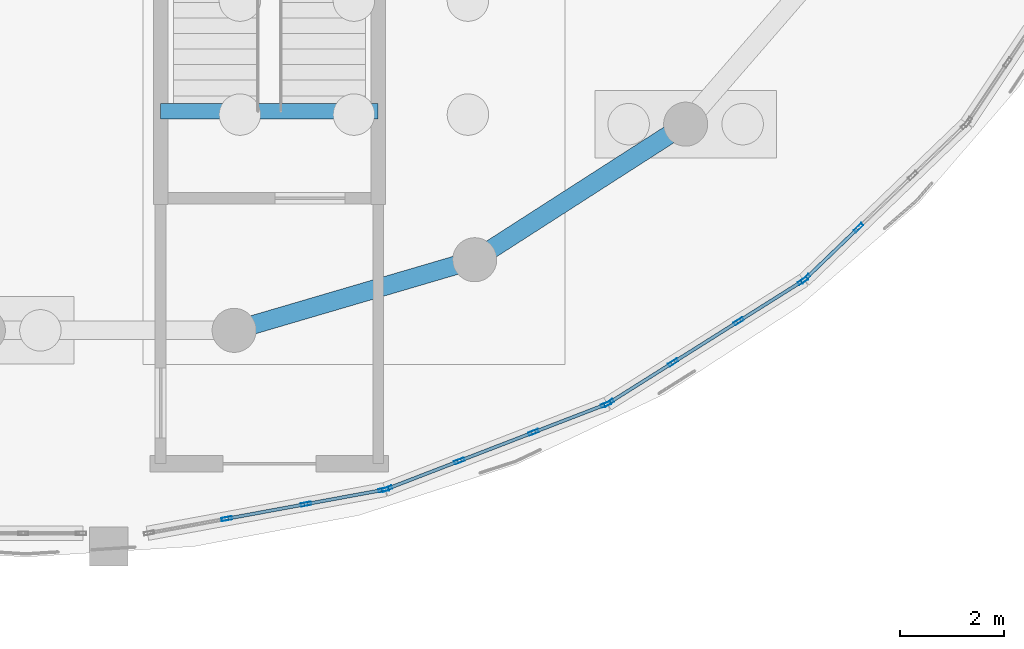
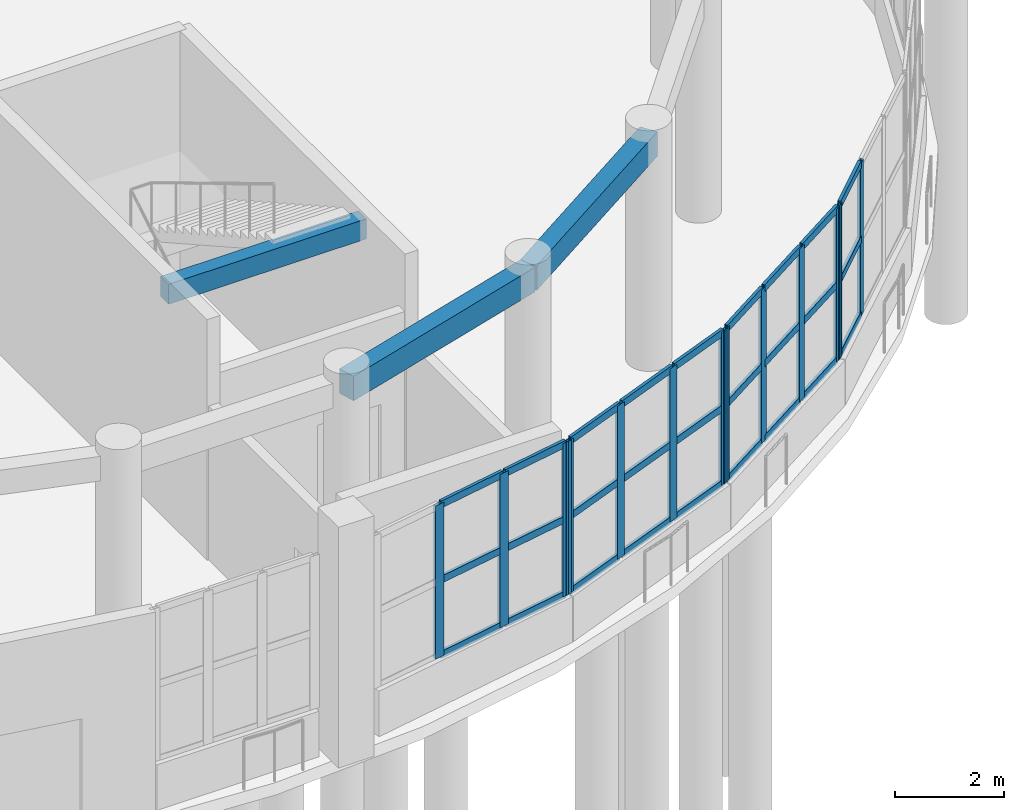
# One storey, part 27 of 96: 40 members, 3 beams, 4 elements without a shape of their own.
"""IFC4 building model written with IfcOpenShell, lengths in metres."""

from ifc_helpers import new_model, si_unit, direction, frame, origin, origin_2d, place, context, subcontext, project, spatial, rectangle, hollow_rectangle, extrude, material, layer, layer_set, material_profile, profile_set, type_object, element, aggregate, save


model = new_model("IFC4")

# Units and contexts
model_context = context("Model", 3, precision=1e-05, world=origin(), true_north=direction((0.0, 1.0)))
body_context = subcontext(model_context, "Body", "Model", "MODEL_VIEW")
ifc_project = project(units=[si_unit("LENGTHUNIT", "METRE"), si_unit("AREAUNIT", "SQUARE_METRE"), si_unit("VOLUMEUNIT", "CUBIC_METRE"), si_unit("PLANEANGLEUNIT", "RADIAN"), si_unit("MASSUNIT", "GRAM", prefix="KILO")], contexts=[model_context])

# Site, building, storey
site_placement = place(None, origin())
site = spatial("IfcSite", under=ifc_project, at=site_placement, CompositionType="ELEMENT")
building_placement = place(site_placement, origin())
building = spatial("IfcBuilding", under=site, at=building_placement, Name="Pelvatis Terrace Science Centre", CompositionType="ELEMENT")
storey_placement = place(building_placement, origin())
storey = spatial("IfcBuildingStorey", under=building, at=storey_placement, Name="L00", CompositionType="ELEMENT", Elevation=0.0)

# Beams
ifc_material_1 = material(Name="Concrete C35/45", Category="concrete")
ifc_material_profile_1 = material_profile(ifc_material_1, rectangle(XDim=0.300048828125, YDim=0.449951171875, at=origin_2d()), Name="RC-BM 300x450")
ifc_profile_set_1 = profile_set([ifc_material_profile_1], Name="Concrete C35/45")
beam_type_1 = type_object("IfcBeamType", Name="BM-RC-300x450", PredefinedType="BEAM", material=ifc_profile_set_1)
beam_placement = place(storey_placement, frame((79.0, 42.0, 4.919921875), z_axis=(1.0, 0.0, 0.0), x_axis=(0.0, 1.0, 0.0)))
element("IfcBeam", 1, at=beam_placement, inside=storey, type_object=beam_type_1, Name="Stair ST-06 header beam (L00)", PredefinedType="BEAM", context=body_context, shape_type="SweptSolid", body=[
    extrude(rectangle(XDim=0.300048828125, YDim=0.449951171875, at=origin_2d()), origin(), (0.0, 0.0, 1.0), 4.199951171875),
])
ifc_material_2 = material(Name="Concrete C35/45", Category="concrete")
ifc_material_profile_2 = material_profile(ifc_material_2, rectangle(XDim=0.360107421875, YDim=0.550048828125, at=origin_2d()), Name="RC-BM 360x550")
ifc_profile_set_2 = profile_set([ifc_material_profile_2], Name="Concrete C35/45")
beam_type_2 = type_object("IfcBeamType", Name="BM-RC-360x550", PredefinedType="BEAM", material=ifc_profile_set_2)
for number, where, z_axis, x_axis, name in (
    (2, (80.41943359375, 37.77294921875, 4.864990234375), (0.959487536584, 0.281751073006, 0.0), (-0.281751073006, 0.959487536584, 0.0), "Beam BM-L00-2215"),
    (3, (85.06201171875, 39.13623046875, 4.864990234375), (0.841255517216, 0.540637729681, 0.0), (-0.540637729681, 0.841255517216, 0.0), "Beam BM-L00-2216"),
):
    element("IfcBeam", number, at=place(storey_placement, frame(where, z_axis=z_axis, x_axis=x_axis)), inside=storey, type_object=beam_type_2, Name=name, PredefinedType="BEAM", context=body_context, shape_type="SweptSolid", body=[
        extrude(rectangle(XDim=0.360107421875, YDim=0.550048828125, at=origin_2d()), origin(), (0.0, 0.0, 1.0), 4.838623046875),
    ])

# Curtain wall, members
ifc_material_3 = material(Name="Bronze-anodised aluminium and laminated glass", Category="aluminium")
ifc_layer = layer(ifc_material_3, 0.199951171875)
ifc_layer_set = layer_set([ifc_layer], Name="Bronze-anodised aluminium and laminated glass")
curtain_wall_type = type_object("IfcCurtainWallType", Name="CW-RIBBON-B", PredefinedType="NOTDEFINED", material=ifc_layer_set)
curtain_wall_1_placement = place(storey_placement, origin())
curtain_wall_1 = element("IfcCurtainWall", 4, at=curtain_wall_1_placement, inside=storey, type_object=curtain_wall_type, Name="Ribbon curtain wall CW-053 (L00)", PredefinedType="NOTDEFINED")
ifc_material_4 = material(Name="Bronze-anodised aluminium 6063-T6", Category="aluminium")
ifc_material_profile_3 = material_profile(ifc_material_4, hollow_rectangle(XDim=0.06494140625, YDim=0.199951171875, WallThickness=0.00439453125, at=origin_2d()), Name="ALU-MUL 65x200")
ifc_profile_set_3 = profile_set([ifc_material_profile_3], Name="Bronze-anodised aluminium 6063-T6")
member_type_1 = type_object("IfcMemberType", Name="CWM-65x200", PredefinedType="MULLION", material=ifc_profile_set_3)
member_1_placement = place(storey_placement, frame((80.27685546875, 34.138427734375, 1.02001953125), z_axis=(0.0, 0.0, 1.0), x_axis=(-0.181130259216, 0.983459114146, 0.0)))
member_1 = element("IfcMember", 5, at=member_1_placement, type_object=member_type_1, Name="CW-053 mullion 2", PredefinedType="MULLION", context=body_context, shape_type="SweptSolid", body=[
    extrude(hollow_rectangle(XDim=0.06494140625, YDim=0.199951171875, WallThickness=0.00439453125, at=origin_2d()), origin(), (0.0, 0.0, 1.0), 3.43994140625),
])
member_2_placement = place(storey_placement, frame((81.80712890625, 34.420166015625, 1.02001953125), z_axis=(0.0, 0.0, 1.0), x_axis=(-0.181130259216, 0.983459114146, 0.0)))
member_2 = element("IfcMember", 6, at=member_2_placement, type_object=member_type_1, Name="CW-053 mullion 3", PredefinedType="MULLION", context=body_context, shape_type="SweptSolid", body=[
    extrude(hollow_rectangle(XDim=0.06494140625, YDim=0.199951171875, WallThickness=0.00439453125, at=origin_2d()), origin(), (0.0, 0.0, 1.0), 3.43994140625),
])
member_3_placement = place(storey_placement, frame((83.305419921875, 34.696044921875, 1.02001953125), z_axis=(0.0, 0.0, 1.0), x_axis=(-0.181130259216, 0.983459114146, 0.0)))
member_3 = element("IfcMember", 7, at=member_3_placement, type_object=member_type_1, Name="CW-053 mullion 4", PredefinedType="MULLION", context=body_context, shape_type="SweptSolid", body=[
    extrude(hollow_rectangle(XDim=0.06494140625, YDim=0.199951171875, WallThickness=0.00439453125, at=origin_2d()), origin(), (0.0, 0.0, 1.0), 3.43994140625),
])

curtain_wall_2_placement = place(storey_placement, origin())
curtain_wall_2 = element("IfcCurtainWall", 8, at=curtain_wall_2_placement, inside=storey, type_object=curtain_wall_type, Name="Ribbon curtain wall CW-054 (L00)", PredefinedType="NOTDEFINED")
member_4_placement = place(storey_placement, frame((83.36767578125, 34.713623046875, 1.02001953125), z_axis=(0.0, 0.0, 1.0), x_axis=(-0.359874233065, 0.933000823352, 0.0)))
member_4 = element("IfcMember", 9, at=member_4_placement, type_object=member_type_1, Name="CW-054 mullion 1", PredefinedType="MULLION", context=body_context, shape_type="SweptSolid", body=[
    extrude(hollow_rectangle(XDim=0.06494140625, YDim=0.199951171875, WallThickness=0.00439453125, at=origin_2d()), origin(), (0.0, 0.0, 1.0), 3.43994140625),
])
member_5_placement = place(storey_placement, frame((84.7666015625, 35.253173828125, 1.02001953125), z_axis=(0.0, 0.0, 1.0), x_axis=(-0.359874233065, 0.933000823352, 0.0)))
member_5 = element("IfcMember", 10, at=member_5_placement, type_object=member_type_1, Name="CW-054 mullion 2", PredefinedType="MULLION", context=body_context, shape_type="SweptSolid", body=[
    extrude(hollow_rectangle(XDim=0.06494140625, YDim=0.199951171875, WallThickness=0.00439453125, at=origin_2d()), origin(), (0.0, 0.0, 1.0), 3.43994140625),
])
member_6_placement = place(storey_placement, frame((86.19580078125, 35.804443359375, 1.02001953125), z_axis=(0.0, 0.0, 1.0), x_axis=(-0.359874233065, 0.933000823352, 0.0)))
member_6 = element("IfcMember", 11, at=member_6_placement, type_object=member_type_1, Name="CW-054 mullion 3", PredefinedType="MULLION", context=body_context, shape_type="SweptSolid", body=[
    extrude(hollow_rectangle(XDim=0.06494140625, YDim=0.199951171875, WallThickness=0.00439453125, at=origin_2d()), origin(), (0.0, 0.0, 1.0), 3.43994140625),
])
member_7_placement = place(storey_placement, frame((87.5947265625, 36.343994140625, 1.02001953125), z_axis=(0.0, 0.0, 1.0), x_axis=(-0.359874233065, 0.933000823352, 0.0)))
member_7 = element("IfcMember", 12, at=member_7_placement, type_object=member_type_1, Name="CW-054 mullion 4", PredefinedType="MULLION", context=body_context, shape_type="SweptSolid", body=[
    extrude(hollow_rectangle(XDim=0.06494140625, YDim=0.199951171875, WallThickness=0.00439453125, at=origin_2d()), origin(), (0.0, 0.0, 1.0), 3.43994140625),
])

curtain_wall_3_placement = place(storey_placement, origin())
curtain_wall_3 = element("IfcCurtainWall", 13, at=curtain_wall_3_placement, inside=storey, type_object=curtain_wall_type, Name="Ribbon curtain wall CW-055 (L00)", PredefinedType="NOTDEFINED")
member_8_placement = place(storey_placement, frame((87.652587890625, 36.373046875, 1.02001953125), z_axis=(0.0, 0.0, 1.0), x_axis=(-0.532700945499, 0.846303552317, 0.0)))
member_8 = element("IfcMember", 14, at=member_8_placement, type_object=member_type_1, Name="CW-055 mullion 1", PredefinedType="MULLION", context=body_context, shape_type="SweptSolid", body=[
    extrude(hollow_rectangle(XDim=0.06494140625, YDim=0.199951171875, WallThickness=0.00439453125, at=origin_2d()), origin(), (0.0, 0.0, 1.0), 3.43994140625),
])
member_9_placement = place(storey_placement, frame((88.890625, 37.152587890625, 1.02001953125), z_axis=(0.0, 0.0, 1.0), x_axis=(-0.532700945499, 0.846303552317, 0.0)))
member_9 = element("IfcMember", 15, at=member_9_placement, type_object=member_type_1, Name="CW-055 mullion 2", PredefinedType="MULLION", context=body_context, shape_type="SweptSolid", body=[
    extrude(hollow_rectangle(XDim=0.06494140625, YDim=0.199951171875, WallThickness=0.00439453125, at=origin_2d()), origin(), (0.0, 0.0, 1.0), 3.43994140625),
])
member_10_placement = place(storey_placement, frame((90.15625, 37.94921875, 1.02001953125), z_axis=(0.0, 0.0, 1.0), x_axis=(-0.532700945499, 0.846303552317, 0.0)))
member_10 = element("IfcMember", 16, at=member_10_placement, type_object=member_type_1, Name="CW-055 mullion 3", PredefinedType="MULLION", context=body_context, shape_type="SweptSolid", body=[
    extrude(hollow_rectangle(XDim=0.06494140625, YDim=0.199951171875, WallThickness=0.00439453125, at=origin_2d()), origin(), (0.0, 0.0, 1.0), 3.43994140625),
])
member_11_placement = place(storey_placement, frame((91.39453125, 38.728515625, 1.02001953125), z_axis=(0.0, 0.0, 1.0), x_axis=(-0.532700945499, 0.846303552317, 0.0)))
member_11 = element("IfcMember", 17, at=member_11_placement, type_object=member_type_1, Name="CW-055 mullion 4", PredefinedType="MULLION", context=body_context, shape_type="SweptSolid", body=[
    extrude(hollow_rectangle(XDim=0.06494140625, YDim=0.199951171875, WallThickness=0.00439453125, at=origin_2d()), origin(), (0.0, 0.0, 1.0), 3.43994140625),
])

curtain_wall_4_placement = place(storey_placement, origin())
curtain_wall_4 = element("IfcCurtainWall", 18, at=curtain_wall_4_placement, inside=storey, type_object=curtain_wall_type, Name="Ribbon curtain wall CW-056 (L00)", PredefinedType="NOTDEFINED")
member_12_placement = place(storey_placement, frame((91.4453125, 38.768310546875, 1.02001953125), z_axis=(0.0, 0.0, 1.0), x_axis=(-0.693369132291, 0.720582574301, 0.0)))
member_12 = element("IfcMember", 19, at=member_12_placement, type_object=member_type_1, Name="CW-056 mullion 1", PredefinedType="MULLION", context=body_context, shape_type="SweptSolid", body=[
    extrude(hollow_rectangle(XDim=0.06494140625, YDim=0.199951171875, WallThickness=0.00439453125, at=origin_2d()), origin(), (0.0, 0.0, 1.0), 3.43994140625),
])
member_13_placement = place(storey_placement, frame((92.46875, 39.753173828125, 1.02001953125), z_axis=(0.0, 0.0, 1.0), x_axis=(-0.693369132291, 0.720582574301, 0.0)))
member_13 = element("IfcMember", 20, at=member_13_placement, type_object=member_type_1, Name="CW-056 mullion 2", PredefinedType="MULLION", context=body_context, shape_type="SweptSolid", body=[
    extrude(hollow_rectangle(XDim=0.06494140625, YDim=0.199951171875, WallThickness=0.00439453125, at=origin_2d()), origin(), (0.0, 0.0, 1.0), 3.43994140625),
])

# Member
ifc_material_5 = material(Name="Bronze-anodised aluminium 6063-T6", Category="aluminium")
ifc_material_profile_4 = material_profile(ifc_material_5, hollow_rectangle(XDim=0.06494140625, YDim=0.159912109375, WallThickness=0.00390625, at=origin_2d()), Name="ALU-TRN 65x160")
ifc_profile_set_4 = profile_set([ifc_material_profile_4], Name="Bronze-anodised aluminium 6063-T6")
member_type_2 = type_object("IfcMemberType", Name="CWT-65x160", PredefinedType="USERDEFINED", material=ifc_profile_set_4)
member_14_placement = place(storey_placement, frame((80.308837890625, 34.144287109375, 1.052490234375), z_axis=(0.983463935148, 0.181104081298, 0.0), x_axis=(-0.181104081298, 0.983463935148, 0.0)))
member_14 = element("IfcMember", 21, at=member_14_placement, type_object=member_type_2, Name="CW-053 transom 2.1", ObjectType="TRANSOM", PredefinedType="USERDEFINED", context=body_context, shape_type="SweptSolid", body=[
    extrude(hollow_rectangle(XDim=0.06494140625, YDim=0.159912109375, WallThickness=0.00390625, at=origin_2d()), origin(), (0.0, 0.0, 1.0), 1.490966796875),
])

member_15_placement = place(storey_placement, frame((80.308837890625, 34.144287109375, 2.739990234375), z_axis=(0.983463935148, 0.181104081298, 0.0), x_axis=(-0.181104081298, 0.983463935148, 0.0)))
member_15 = element("IfcMember", 22, at=member_15_placement, type_object=member_type_2, Name="CW-053 transom 2.2", ObjectType="TRANSOM", PredefinedType="USERDEFINED", context=body_context, shape_type="SweptSolid", body=[
    extrude(hollow_rectangle(XDim=0.06494140625, YDim=0.159912109375, WallThickness=0.00390625, at=origin_2d()), origin(), (0.0, 0.0, 1.0), 1.490966796875),
])

member_16_placement = place(storey_placement, frame((80.308837890625, 34.144287109375, 4.427490234375), z_axis=(0.983463935148, 0.181104081298, 0.0), x_axis=(-0.181104081298, 0.983463935148, 0.0)))
member_16 = element("IfcMember", 23, at=member_16_placement, type_object=member_type_2, Name="CW-053 transom 2.3", ObjectType="TRANSOM", PredefinedType="USERDEFINED", context=body_context, shape_type="SweptSolid", body=[
    extrude(hollow_rectangle(XDim=0.06494140625, YDim=0.159912109375, WallThickness=0.00390625, at=origin_2d()), origin(), (0.0, 0.0, 1.0), 1.490966796875),
])

member_17_placement = place(storey_placement, frame((81.839111328125, 34.426025390625, 1.052490234375), z_axis=(0.9834602515, 0.181124083766, 0.0), x_axis=(-0.181124083766, 0.9834602515, 0.0)))
member_17 = element("IfcMember", 24, at=member_17_placement, type_object=member_type_2, Name="CW-053 transom 3.1", ObjectType="TRANSOM", PredefinedType="USERDEFINED", context=body_context, shape_type="SweptSolid", body=[
    extrude(hollow_rectangle(XDim=0.06494140625, YDim=0.159912109375, WallThickness=0.00390625, at=origin_2d()), origin(), (0.0, 0.0, 1.0), 1.45849609375),
])

member_18_placement = place(storey_placement, frame((81.839111328125, 34.426025390625, 2.739990234375), z_axis=(0.9834602515, 0.181124083766, 0.0), x_axis=(-0.181124083766, 0.9834602515, 0.0)))
member_18 = element("IfcMember", 25, at=member_18_placement, type_object=member_type_2, Name="CW-053 transom 3.2", ObjectType="TRANSOM", PredefinedType="USERDEFINED", context=body_context, shape_type="SweptSolid", body=[
    extrude(hollow_rectangle(XDim=0.06494140625, YDim=0.159912109375, WallThickness=0.00390625, at=origin_2d()), origin(), (0.0, 0.0, 1.0), 1.45849609375),
])

member_19_placement = place(storey_placement, frame((81.839111328125, 34.426025390625, 4.427490234375), z_axis=(0.9834602515, 0.181124083766, 0.0), x_axis=(-0.181124083766, 0.9834602515, 0.0)))
member_19 = element("IfcMember", 26, at=member_19_placement, type_object=member_type_2, Name="CW-053 transom 3.3", ObjectType="TRANSOM", PredefinedType="USERDEFINED", context=body_context, shape_type="SweptSolid", body=[
    extrude(hollow_rectangle(XDim=0.06494140625, YDim=0.159912109375, WallThickness=0.00390625, at=origin_2d()), origin(), (0.0, 0.0, 1.0), 1.45849609375),
])

aggregate(curtain_wall_1, [member_1, member_2, member_3, member_14, member_15, member_16, member_17, member_18, member_19])

member_20_placement = place(storey_placement, frame((83.39794921875, 34.725341796875, 1.052490234375), z_axis=(0.933029412283, 0.359800105357, 0.0), x_axis=(-0.359800105357, 0.933029412283, 0.0)))
member_20 = element("IfcMember", 27, at=member_20_placement, type_object=member_type_2, Name="CW-054 transom 1.1", ObjectType="TRANSOM", PredefinedType="USERDEFINED", context=body_context, shape_type="SweptSolid", body=[
    extrude(hollow_rectangle(XDim=0.06494140625, YDim=0.159912109375, WallThickness=0.00390625, at=origin_2d()), origin(), (0.0, 0.0, 1.0), 1.434326171875),
])

member_21_placement = place(storey_placement, frame((83.39794921875, 34.725341796875, 2.739990234375), z_axis=(0.933029412283, 0.359800105357, 0.0), x_axis=(-0.359800105357, 0.933029412283, 0.0)))
member_21 = element("IfcMember", 28, at=member_21_placement, type_object=member_type_2, Name="CW-054 transom 1.2", ObjectType="TRANSOM", PredefinedType="USERDEFINED", context=body_context, shape_type="SweptSolid", body=[
    extrude(hollow_rectangle(XDim=0.06494140625, YDim=0.159912109375, WallThickness=0.00390625, at=origin_2d()), origin(), (0.0, 0.0, 1.0), 1.434326171875),
])

member_22_placement = place(storey_placement, frame((83.39794921875, 34.725341796875, 4.427490234375), z_axis=(0.933029412283, 0.359800105357, 0.0), x_axis=(-0.359800105357, 0.933029412283, 0.0)))
member_22 = element("IfcMember", 29, at=member_22_placement, type_object=member_type_2, Name="CW-054 transom 1.3", ObjectType="TRANSOM", PredefinedType="USERDEFINED", context=body_context, shape_type="SweptSolid", body=[
    extrude(hollow_rectangle(XDim=0.06494140625, YDim=0.159912109375, WallThickness=0.00390625, at=origin_2d()), origin(), (0.0, 0.0, 1.0), 1.434326171875),
])

member_23_placement = place(storey_placement, frame((84.796875, 35.264892578125, 1.052490234375), z_axis=(0.93301922001, 0.359826534724, 0.0), x_axis=(-0.359826534724, 0.93301922001, 0.0)))
member_23 = element("IfcMember", 30, at=member_23_placement, type_object=member_type_2, Name="CW-054 transom 2.1", ObjectType="TRANSOM", PredefinedType="USERDEFINED", context=body_context, shape_type="SweptSolid", body=[
    extrude(hollow_rectangle(XDim=0.06494140625, YDim=0.159912109375, WallThickness=0.00390625, at=origin_2d()), origin(), (0.0, 0.0, 1.0), 1.466796875),
])

member_24_placement = place(storey_placement, frame((84.796875, 35.264892578125, 2.739990234375), z_axis=(0.93301922001, 0.359826534724, 0.0), x_axis=(-0.359826534724, 0.93301922001, 0.0)))
member_24 = element("IfcMember", 31, at=member_24_placement, type_object=member_type_2, Name="CW-054 transom 2.2", ObjectType="TRANSOM", PredefinedType="USERDEFINED", context=body_context, shape_type="SweptSolid", body=[
    extrude(hollow_rectangle(XDim=0.06494140625, YDim=0.159912109375, WallThickness=0.00390625, at=origin_2d()), origin(), (0.0, 0.0, 1.0), 1.466796875),
])

member_25_placement = place(storey_placement, frame((84.796875, 35.264892578125, 4.427490234375), z_axis=(0.93301922001, 0.359826534724, 0.0), x_axis=(-0.359826534724, 0.93301922001, 0.0)))
member_25 = element("IfcMember", 32, at=member_25_placement, type_object=member_type_2, Name="CW-054 transom 2.3", ObjectType="TRANSOM", PredefinedType="USERDEFINED", context=body_context, shape_type="SweptSolid", body=[
    extrude(hollow_rectangle(XDim=0.06494140625, YDim=0.159912109375, WallThickness=0.00390625, at=origin_2d()), origin(), (0.0, 0.0, 1.0), 1.466796875),
])

member_26_placement = place(storey_placement, frame((86.22607421875, 35.816162109375, 1.052490234375), z_axis=(0.932972267613, 0.359948257206, 0.0), x_axis=(-0.359948257206, 0.932972267613, 0.0)))
member_26 = element("IfcMember", 33, at=member_26_placement, type_object=member_type_2, Name="CW-054 transom 3.1", ObjectType="TRANSOM", PredefinedType="USERDEFINED", context=body_context, shape_type="SweptSolid", body=[
    extrude(hollow_rectangle(XDim=0.06494140625, YDim=0.159912109375, WallThickness=0.00390625, at=origin_2d()), origin(), (0.0, 0.0, 1.0), 1.4345703125),
])

member_27_placement = place(storey_placement, frame((86.22607421875, 35.816162109375, 2.739990234375), z_axis=(0.932972267613, 0.359948257206, 0.0), x_axis=(-0.359948257206, 0.932972267613, 0.0)))
member_27 = element("IfcMember", 34, at=member_27_placement, type_object=member_type_2, Name="CW-054 transom 3.2", ObjectType="TRANSOM", PredefinedType="USERDEFINED", context=body_context, shape_type="SweptSolid", body=[
    extrude(hollow_rectangle(XDim=0.06494140625, YDim=0.159912109375, WallThickness=0.00390625, at=origin_2d()), origin(), (0.0, 0.0, 1.0), 1.4345703125),
])

member_28_placement = place(storey_placement, frame((86.22607421875, 35.816162109375, 4.427490234375), z_axis=(0.932972267613, 0.359948257206, 0.0), x_axis=(-0.359948257206, 0.932972267613, 0.0)))
member_28 = element("IfcMember", 35, at=member_28_placement, type_object=member_type_2, Name="CW-054 transom 3.3", ObjectType="TRANSOM", PredefinedType="USERDEFINED", context=body_context, shape_type="SweptSolid", body=[
    extrude(hollow_rectangle(XDim=0.06494140625, YDim=0.159912109375, WallThickness=0.00390625, at=origin_2d()), origin(), (0.0, 0.0, 1.0), 1.4345703125),
])

aggregate(curtain_wall_2, [member_4, member_5, member_6, member_7, member_20, member_21, member_22, member_23, member_24, member_25, member_26, member_27, member_28])

member_29_placement = place(storey_placement, frame((87.679931640625, 36.390380859375, 1.052490234375), z_axis=(0.84629698055, 0.532711385942, 0.0), x_axis=(-0.532711385942, 0.84629698055, 0.0)))
member_29 = element("IfcMember", 36, at=member_29_placement, type_object=member_type_2, Name="CW-055 transom 1.1", ObjectType="TRANSOM", PredefinedType="USERDEFINED", context=body_context, shape_type="SweptSolid", body=[
    extrude(hollow_rectangle(XDim=0.06494140625, YDim=0.159912109375, WallThickness=0.00390625, at=origin_2d()), origin(), (0.0, 0.0, 1.0), 1.398193359375),
])

member_30_placement = place(storey_placement, frame((87.679931640625, 36.390380859375, 2.739990234375), z_axis=(0.84629698055, 0.532711385942, 0.0), x_axis=(-0.532711385942, 0.84629698055, 0.0)))
member_30 = element("IfcMember", 37, at=member_30_placement, type_object=member_type_2, Name="CW-055 transom 1.2", ObjectType="TRANSOM", PredefinedType="USERDEFINED", context=body_context, shape_type="SweptSolid", body=[
    extrude(hollow_rectangle(XDim=0.06494140625, YDim=0.159912109375, WallThickness=0.00390625, at=origin_2d()), origin(), (0.0, 0.0, 1.0), 1.398193359375),
])

member_31_placement = place(storey_placement, frame((87.679931640625, 36.390380859375, 4.427490234375), z_axis=(0.84629698055, 0.532711385942, 0.0), x_axis=(-0.532711385942, 0.84629698055, 0.0)))
member_31 = element("IfcMember", 38, at=member_31_placement, type_object=member_type_2, Name="CW-055 transom 1.3", ObjectType="TRANSOM", PredefinedType="USERDEFINED", context=body_context, shape_type="SweptSolid", body=[
    extrude(hollow_rectangle(XDim=0.06494140625, YDim=0.159912109375, WallThickness=0.00390625, at=origin_2d()), origin(), (0.0, 0.0, 1.0), 1.398193359375),
])

member_32_placement = place(storey_placement, frame((88.918212890625, 37.169677734375, 1.052490234375), z_axis=(0.846258487055, 0.532772534097, 0.0), x_axis=(-0.532772534097, 0.846258487055, 0.0)))
member_32 = element("IfcMember", 39, at=member_32_placement, type_object=member_type_2, Name="CW-055 transom 2.1", ObjectType="TRANSOM", PredefinedType="USERDEFINED", context=body_context, shape_type="SweptSolid", body=[
    extrude(hollow_rectangle(XDim=0.06494140625, YDim=0.159912109375, WallThickness=0.00390625, at=origin_2d()), origin(), (0.0, 0.0, 1.0), 1.4306640625),
])

member_33_placement = place(storey_placement, frame((88.918212890625, 37.169677734375, 2.739990234375), z_axis=(0.846258487055, 0.532772534097, 0.0), x_axis=(-0.532772534097, 0.846258487055, 0.0)))
member_33 = element("IfcMember", 40, at=member_33_placement, type_object=member_type_2, Name="CW-055 transom 2.2", ObjectType="TRANSOM", PredefinedType="USERDEFINED", context=body_context, shape_type="SweptSolid", body=[
    extrude(hollow_rectangle(XDim=0.06494140625, YDim=0.159912109375, WallThickness=0.00390625, at=origin_2d()), origin(), (0.0, 0.0, 1.0), 1.4306640625),
])

member_34_placement = place(storey_placement, frame((88.918212890625, 37.169677734375, 4.427490234375), z_axis=(0.846258487055, 0.532772534097, 0.0), x_axis=(-0.532772534097, 0.846258487055, 0.0)))
member_34 = element("IfcMember", 41, at=member_34_placement, type_object=member_type_2, Name="CW-055 transom 2.3", ObjectType="TRANSOM", PredefinedType="USERDEFINED", context=body_context, shape_type="SweptSolid", body=[
    extrude(hollow_rectangle(XDim=0.06494140625, YDim=0.159912109375, WallThickness=0.00390625, at=origin_2d()), origin(), (0.0, 0.0, 1.0), 1.4306640625),
])

member_35_placement = place(storey_placement, frame((90.183837890625, 37.966552734375, 1.052490234375), z_axis=(0.846326153715, 0.532665036903, 0.0), x_axis=(-0.532665036903, 0.846326153715, 0.0)))
member_35 = element("IfcMember", 42, at=member_35_placement, type_object=member_type_2, Name="CW-055 transom 3.1", ObjectType="TRANSOM", PredefinedType="USERDEFINED", context=body_context, shape_type="SweptSolid", body=[
    extrude(hollow_rectangle(XDim=0.06494140625, YDim=0.159912109375, WallThickness=0.00390625, at=origin_2d()), origin(), (0.0, 0.0, 1.0), 1.39794921875),
])

member_36_placement = place(storey_placement, frame((90.183837890625, 37.966552734375, 2.739990234375), z_axis=(0.846326153715, 0.532665036903, 0.0), x_axis=(-0.532665036903, 0.846326153715, 0.0)))
member_36 = element("IfcMember", 43, at=member_36_placement, type_object=member_type_2, Name="CW-055 transom 3.2", ObjectType="TRANSOM", PredefinedType="USERDEFINED", context=body_context, shape_type="SweptSolid", body=[
    extrude(hollow_rectangle(XDim=0.06494140625, YDim=0.159912109375, WallThickness=0.00390625, at=origin_2d()), origin(), (0.0, 0.0, 1.0), 1.39794921875),
])

member_37_placement = place(storey_placement, frame((90.183837890625, 37.966552734375, 4.427490234375), z_axis=(0.846326153715, 0.532665036903, 0.0), x_axis=(-0.532665036903, 0.846326153715, 0.0)))
member_37 = element("IfcMember", 44, at=member_37_placement, type_object=member_type_2, Name="CW-055 transom 3.3", ObjectType="TRANSOM", PredefinedType="USERDEFINED", context=body_context, shape_type="SweptSolid", body=[
    extrude(hollow_rectangle(XDim=0.06494140625, YDim=0.159912109375, WallThickness=0.00390625, at=origin_2d()), origin(), (0.0, 0.0, 1.0), 1.39794921875),
])

aggregate(curtain_wall_3, [member_8, member_9, member_10, member_11, member_29, member_30, member_31, member_32, member_33, member_34, member_35, member_36, member_37])

member_38_placement = place(storey_placement, frame((91.46875, 38.790771484375, 1.052490234375), z_axis=(0.720576853646, 0.693375077421, 0.0), x_axis=(-0.693375077421, 0.720576853646, 0.0)))
member_38 = element("IfcMember", 45, at=member_38_placement, type_object=member_type_2, Name="CW-056 transom 1.1", ObjectType="TRANSOM", PredefinedType="USERDEFINED", context=body_context, shape_type="SweptSolid", body=[
    extrude(hollow_rectangle(XDim=0.06494140625, YDim=0.159912109375, WallThickness=0.00390625, at=origin_2d()), origin(), (0.0, 0.0, 1.0), 1.355224609375),
])

member_39_placement = place(storey_placement, frame((91.46875, 38.790771484375, 2.739990234375), z_axis=(0.720576853646, 0.693375077421, 0.0), x_axis=(-0.693375077421, 0.720576853646, 0.0)))
member_39 = element("IfcMember", 46, at=member_39_placement, type_object=member_type_2, Name="CW-056 transom 1.2", ObjectType="TRANSOM", PredefinedType="USERDEFINED", context=body_context, shape_type="SweptSolid", body=[
    extrude(hollow_rectangle(XDim=0.06494140625, YDim=0.159912109375, WallThickness=0.00390625, at=origin_2d()), origin(), (0.0, 0.0, 1.0), 1.355224609375),
])

member_40_placement = place(storey_placement, frame((91.46875, 38.790771484375, 4.427490234375), z_axis=(0.720576853646, 0.693375077421, 0.0), x_axis=(-0.693375077421, 0.720576853646, 0.0)))
member_40 = element("IfcMember", 47, at=member_40_placement, type_object=member_type_2, Name="CW-056 transom 1.3", ObjectType="TRANSOM", PredefinedType="USERDEFINED", context=body_context, shape_type="SweptSolid", body=[
    extrude(hollow_rectangle(XDim=0.06494140625, YDim=0.159912109375, WallThickness=0.00390625, at=origin_2d()), origin(), (0.0, 0.0, 1.0), 1.355224609375),
])

aggregate(curtain_wall_4, [member_12, member_13, member_38, member_39, member_40])

save(model, "model.ifc")
